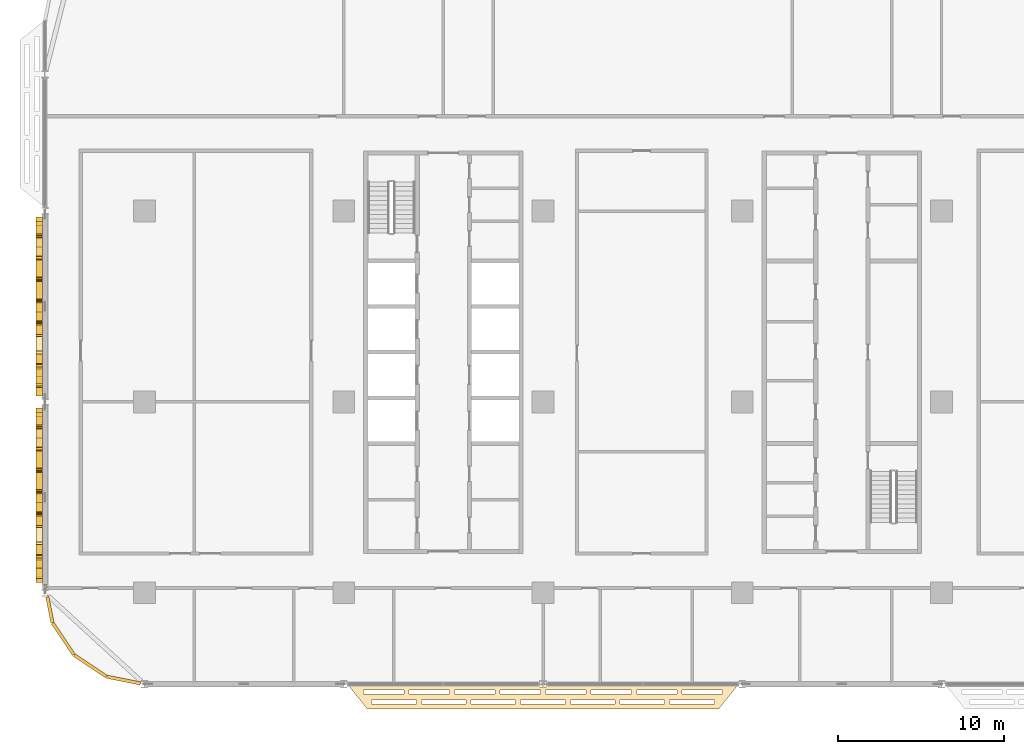
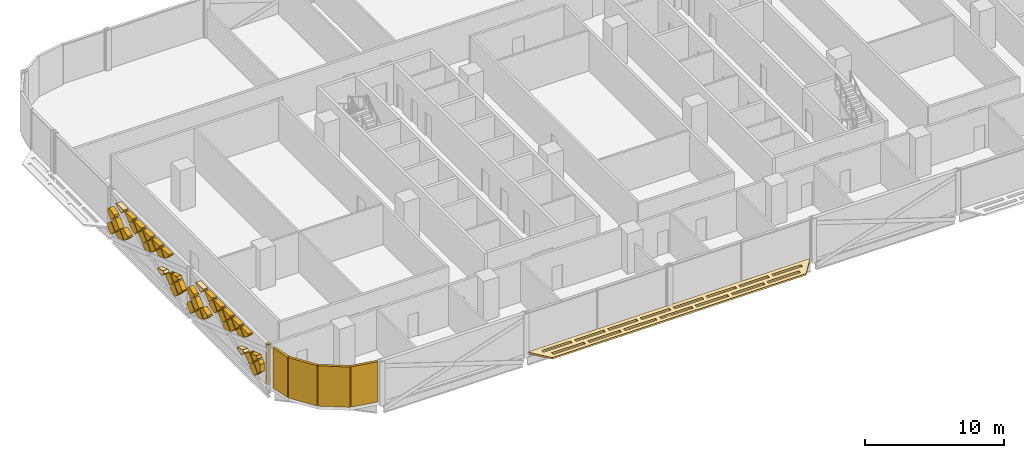
# One storey, part 25 of 29: 48 coverings.
"""IFC4 building model written with IfcOpenShell, lengths in metres."""

import ifcopenshell
import ifcopenshell.guid

model = None  # the IFC model being written
_history = None  # IfcOwnerHistory: only IFC2X3 demands one
_inside = {}  # id of a spatial element -> (the spatial element, [elements in it])
_under = {}  # id of a project, library or spatial element -> (it, [spatial elements below it])
_declared = {}  # id of a project -> (the project, [libraries it declares])
_typed = {}  # id of a type object -> (the type object, [elements of that type])
_made_of = {}  # id of a material, layer set ... -> (it, [elements and type objects made of it])


def new_model(schema):
    """Start an empty IFC model of exactly this schema.

    Asked for "IFC4X3", IfcOpenShell would pick the latest addendum, in which some entities
    have other attributes; the version numbers below select the first issue.
    IFC2X3 requires an IfcOwnerHistory on every rooted entity: one is made here for all.
    """
    global model, _history
    if schema == "IFC4X3":
        model = ifcopenshell.file(schema_version=(4, 3, 0, 0))
    else:
        model = ifcopenshell.file(schema=schema)
    _inside.clear()
    _under.clear()
    _declared.clear()
    _typed.clear()
    _made_of.clear()
    _history = None
    if model.schema == "IFC2X3":
        org = make("IfcOrganization", Name="unknown")
        user = make(
            "IfcPersonAndOrganization",
            ThePerson=make("IfcPerson", FamilyName="unknown"),
            TheOrganization=org,
        )
        app = make(
            "IfcApplication",
            ApplicationDeveloper=org,
            Version="unknown",
            ApplicationFullName="unknown",
            ApplicationIdentifier="unknown",
        )
        _history = make(
            "IfcOwnerHistory",
            OwningUser=user,
            OwningApplication=app,
            ChangeAction="ADDED",
            CreationDate=0,
        )
    return model


def make(cls, **values):
    """One entity of the class cls with the attributes given. An attribute that is None is left unset."""
    return model.create_entity(
        cls, **{name: value for name, value in values.items() if value is not None}
    )


def rooted(cls, **values):
    """An entity with a GlobalId (a new one), such as an element, a storey or a relation."""
    return make(cls, GlobalId=ifcopenshell.guid.new(), OwnerHistory=_history, **values)


def si_unit(unit_type, name, prefix=None):
    """IfcSIUnit, for example si_unit("LENGTHUNIT", "METRE", prefix="MILLI")."""
    return make("IfcSIUnit", UnitType=unit_type, Prefix=prefix, Name=name)


def assignment(units):
    """IfcUnitAssignment: the units of a project."""
    return None if units is None else make("IfcUnitAssignment", Units=units)


def point(xyz):
    """IfcCartesianPoint."""
    return None if xyz is None else make("IfcCartesianPoint", Coordinates=xyz)


def direction(xyz):
    """IfcDirection."""
    return None if xyz is None else make("IfcDirection", DirectionRatios=xyz)


def frame(location, z_axis=None, x_axis=None):
    """IfcAxis2Placement3D, a coordinate frame: its origin and axes. An axis left out is left unset."""
    return make(
        "IfcAxis2Placement3D",
        Location=point(location),
        Axis=direction(z_axis),
        RefDirection=direction(x_axis),
    )


def frame_2d(location, x_axis=None):
    """IfcAxis2Placement2D, a coordinate frame in the plane: its origin and x axis."""
    return make(
        "IfcAxis2Placement2D", Location=point(location), RefDirection=direction(x_axis)
    )


def origin():
    """The frame at (0, 0, 0) with its axes left unset."""
    return frame((0.0, 0.0, 0.0))


def origin_2d():
    """The frame at (0, 0) in the plane with its x axis left unset."""
    return frame_2d((0.0, 0.0))


def place(relative_to, where):
    """IfcLocalPlacement: puts the frame where relative to a parent placement (None: the world)."""
    return make(
        "IfcLocalPlacement", PlacementRelTo=relative_to, RelativePlacement=where
    )


def context(
    kind, dimensions, precision=None, world=None, true_north=None, identifier=None
):
    """IfcGeometricRepresentationContext, for example the 3D "Model" context."""
    return make(
        "IfcGeometricRepresentationContext",
        ContextIdentifier=identifier,
        ContextType=kind,
        CoordinateSpaceDimension=dimensions,
        Precision=precision,
        WorldCoordinateSystem=world,
        TrueNorth=true_north,
    )


def subcontext(parent, identifier, kind, view, scale=None):
    """IfcGeometricRepresentationSubContext, for example "Body" below "Model"."""
    return make(
        "IfcGeometricRepresentationSubContext",
        ContextIdentifier=identifier,
        ContextType=kind,
        ParentContext=parent,
        TargetScale=scale,
        TargetView=view,
    )


def project(units=None, contexts=None):
    """IfcProject with its units and contexts."""
    return rooted(
        "IfcProject",
        Name="project",
        RepresentationContexts=contexts,
        UnitsInContext=assignment(units),
    )


def spatial(cls, under=None, at=None, **own):
    """A site, building, storey or space (cls), placed at a placement, below another one or the project."""
    s = rooted(cls, ObjectPlacement=at, **own)
    if under is not None:
        _under.setdefault(under.id(), (under, []))[1].append(s)
    return s


def polyline(points):
    """IfcPolyline through the points."""
    return make("IfcPolyline", Points=[point(p) for p in points])


def profile(cls, at=None, kind="AREA", **sizes):
    """A parametric profile (cls). Its sizes go by their IFC names, for example OverallWidth=200.0."""
    return make(cls, ProfileType=kind, Position=at, **sizes)


def rectangle(**sizes):
    """IfcRectangleProfileDef."""
    return profile("IfcRectangleProfileDef", **sizes)


def outline(outer, holes=None, kind="AREA"):
    """IfcArbitraryClosedProfileDef: a profile drawn as a closed curve; with holes, ...WithVoids."""
    if holes is None:
        return make("IfcArbitraryClosedProfileDef", ProfileType=kind, OuterCurve=outer)
    return make(
        "IfcArbitraryProfileDefWithVoids",
        ProfileType=kind,
        OuterCurve=outer,
        InnerCurves=holes,
    )


def extrude(swept, where, along, depth):
    """IfcExtrudedAreaSolid: the profile swept, set in the frame where, extruded along a direction by depth."""
    return make(
        "IfcExtrudedAreaSolid",
        SweptArea=swept,
        Position=where,
        ExtrudedDirection=direction(along),
        Depth=depth,
    )


def shape(context_of_items, identifier, shape_type, items):
    """IfcShapeRepresentation: the items that make up one representation, for example the "Body"."""
    return make(
        "IfcShapeRepresentation",
        ContextOfItems=context_of_items,
        RepresentationIdentifier=identifier,
        RepresentationType=shape_type,
        Items=items,
    )


def material(Name=None, Category=None):
    """IfcMaterial."""
    return make("IfcMaterial", Name=Name, Category=Category)


def layer(
    of_material, thickness, ventilated=None, Name=None, Category=None, Priority=None
):
    """IfcMaterialLayer: one layer of a wall or slab, of a material (None: an air gap)."""
    return make(
        "IfcMaterialLayer",
        Material=of_material,
        LayerThickness=thickness,
        IsVentilated=ventilated,
        Name=Name,
        Category=Category,
        Priority=Priority,
    )


def layer_set(layers, Name=None):
    """IfcMaterialLayerSet."""
    return make("IfcMaterialLayerSet", MaterialLayers=layers, LayerSetName=Name)


def made_of(thing, what):
    """Note that an element or type object is made of a material, layer set ...; save() writes the relation."""
    if what is not None:
        _made_of.setdefault(what.id(), (what, []))[1].append(thing)
    return thing


def type_object(cls, material=None, **own):
    """A type object (cls), such as IfcWallType, which elements share."""
    return made_of(rooted(cls, **own), material)


def element(
    cls,
    number,
    at=None,
    inside=None,
    cuts=None,
    type_object=None,
    material=None,
    context=None,
    identifier="Body",
    shape_type=None,
    held_by="IfcProductDefinitionShape",
    body=None,
    shapes=None,
    **own,
):
    """One element of the class cls, such as IfcWall. Its Tag is "e" and its number.

    at: its placement. inside: the storey or other place that contains it. cuts: it is an
    opening in that element (IfcRelVoidsElement). A single representation is given by context,
    identifier, shape_type and body (its items); several are given by shapes. held_by: the class
    of the entity that holds the representations. save() writes the other relations.
    """
    e = rooted(cls, Tag="e%d" % number, ObjectPlacement=at, **own)
    if body is not None:
        shapes = [shape(context, identifier, shape_type, body)]
    if shapes is not None:
        e.Representation = make(held_by, Representations=shapes)
    if inside is not None:
        _inside.setdefault(inside.id(), (inside, []))[1].append(e)
    if cuts is not None:
        rooted(
            "IfcRelVoidsElement", RelatingBuildingElement=cuts, RelatedOpeningElement=e
        )
    if type_object is not None:
        _typed.setdefault(type_object.id(), (type_object, []))[1].append(e)
    return made_of(e, material)


def aggregate(whole, parts):
    """IfcRelAggregates: a whole, such as a stair, and the parts it consists of."""
    return rooted("IfcRelAggregates", RelatingObject=whole, RelatedObjects=parts)


def save(model, path):
    """Write the relations noted so far, then the file.

    IfcRelAggregates (storeys below a building ...), IfcRelContainedInSpatialStructure (elements
    in a storey), IfcRelDefinesByType, IfcRelAssociatesMaterial and IfcRelDeclares: one each for
    every whole, place, type object, material and project.
    """
    for whole, parts in _under.values():
        aggregate(whole, parts)
    for where, things in _inside.values():
        rooted(
            "IfcRelContainedInSpatialStructure",
            RelatedElements=things,
            RelatingStructure=where,
        )
    for kind, things in _typed.values():
        rooted("IfcRelDefinesByType", RelatedObjects=things, RelatingType=kind)
    for what, things in _made_of.values():
        rooted("IfcRelAssociatesMaterial", RelatedObjects=things, RelatingMaterial=what)
    for by, libraries in _declared.values():
        rooted("IfcRelDeclares", RelatingContext=by, RelatedDefinitions=libraries)
    model.write(path)


model = new_model("IFC4")

# Units and contexts
model_context = context("Model", 3, precision=1e-05, world=origin(), true_north=direction((0.0, 1.0)))
body_context = subcontext(model_context, "Body", "Model", "MODEL_VIEW")
ifc_project = project(units=[si_unit("LENGTHUNIT", "METRE"), si_unit("AREAUNIT", "SQUARE_METRE"), si_unit("VOLUMEUNIT", "CUBIC_METRE"), si_unit("PLANEANGLEUNIT", "RADIAN"), si_unit("MASSUNIT", "GRAM", prefix="KILO")], contexts=[model_context])

# Site, building, storey
site_placement = place(None, origin())
site = spatial("IfcSite", under=ifc_project, at=site_placement, CompositionType="ELEMENT")
building_placement = place(site_placement, origin())
building = spatial("IfcBuilding", under=site, at=building_placement, Name="Mahtab Terrace Research Tower", CompositionType="ELEMENT")
storey_placement = place(building_placement, frame((0.0, 0.0, 150.699951171875)))
storey = spatial("IfcBuildingStorey", under=building, at=storey_placement, Name="L35", CompositionType="ELEMENT", Elevation=150.699951171875)

# Coverings
ifc_material_1 = material(Name="Black aluminium cladding panel", Category="aluminium")
ifc_layer_1 = layer(ifc_material_1, 0.199951171875)
ifc_layer_set_1 = layer_set([ifc_layer_1], Name="Black metal corner cladding 200")
covering_type_1 = type_object("IfcCoveringType", Name="Black metal corner cladding 200", PredefinedType="CLADDING", material=ifc_layer_set_1)
covering_1_placement = place(storey_placement, frame((-47.97607421875, -11.11962890625, 0.0), z_axis=(0.0, 0.0, 1.0), x_axis=(0.195212442692, -0.980760981187, 0.0)))
element("IfcCovering", 1, at=covering_1_placement, inside=storey, type_object=covering_type_1, Name="Corner cladding L35 19", PredefinedType="CLADDING", context=body_context, shape_type="SweptSolid", body=[
    extrude(rectangle(XDim=0.22412109375, YDim=0.199951171875, at=origin_2d()), origin(), (0.0, 0.0, 1.0), 3.550048828125),
])
covering_2_placement = place(storey_placement, frame((-47.700439453125, -12.50439453125, 0.0), z_axis=(0.0, 0.0, 1.0), x_axis=(0.195212442692, -0.980760981187, 0.0)))
element("IfcCovering", 2, at=covering_2_placement, inside=storey, type_object=covering_type_1, Name="Corner cladding L35 20", PredefinedType="CLADDING", context=body_context, shape_type="SweptSolid", body=[
    extrude(rectangle(XDim=1.574462890625, YDim=0.199951171875, at=origin_2d()), origin(), (0.0, 0.0, 1.0), 3.550048828125),
])
for number, where, z_axis, x_axis, name in (
    (3, (-46.89306640625, -14.26953125, 0.0), (0.0, 0.0, 1.0), (0.555291490808, -0.831655794326, 0.0), "Corner cladding L35 21"),
    (4, (-45.26953125, -15.89306640625, 0.0), (0.0, 0.0, 1.0), (0.831655794326, -0.555291490808, 0.0), "Corner cladding L35 22"),
):
    element("IfcCovering", number, at=place(storey_placement, frame(where, z_axis=z_axis, x_axis=x_axis)), inside=storey, type_object=covering_type_1, Name=name, PredefinedType="CLADDING", context=body_context, shape_type="SweptSolid", body=[
        extrude(rectangle(XDim=2.30126953125, YDim=0.199951171875, at=origin_2d()), origin(), (0.0, 0.0, 1.0), 3.550048828125),
    ])
covering_3_placement = place(storey_placement, frame((-43.263916015625, -16.74853515625, 0.0), z_axis=(0.0, 0.0, 1.0), x_axis=(0.980760981187, -0.195212442692, 0.0)))
element("IfcCovering", 5, at=covering_3_placement, inside=storey, type_object=covering_type_1, Name="Corner cladding L35 23", PredefinedType="CLADDING", context=body_context, shape_type="SweptSolid", body=[
    extrude(rectangle(XDim=2.064697265625, YDim=0.199951171875, at=origin_2d()), origin(), (0.0, 0.0, 1.0), 3.550048828125),
])
ifc_material_2 = material(Name="Black anodised aluminium", Category="aluminium")
ifc_layer_2 = layer(ifc_material_2, 0.14990234375)
ifc_layer_set_2 = layer_set([ifc_layer_2], Name="Horizontal sunshade band")
covering_type_2 = type_object("IfcCoveringType", Name="Horizontal sunshade band", PredefinedType="CLADDING", material=ifc_layer_set_2)
covering_4_placement = place(storey_placement, frame((0.0, 0.0, -0.14990234375)))
element("IfcCovering", 6, at=covering_4_placement, inside=storey, type_object=covering_type_2, Name="Sunshade band L35 25", PredefinedType="CLADDING", context=body_context, shape_type="SweptSolid", body=[
    extrude(outline(polyline([(-29.781982421875, -17.0), (-6.218017578125, -17.0), (-7.41796875, -18.5), (-28.58203125, -18.5), (-29.781982421875, -17.0)]), holes=[polyline([(-28.802001953125, -17.35009765625), (-26.364013671875, -17.35009765625), (-26.364013671875, -17.60009765625), (-28.802001953125, -17.60009765625), (-28.802001953125, -17.35009765625)]), polyline([(-26.06396484375, -17.35009765625), (-23.6259765625, -17.35009765625), (-23.6259765625, -17.60009765625), (-26.06396484375, -17.60009765625), (-26.06396484375, -17.35009765625)]), polyline([(-23.325927734375, -17.35009765625), (-20.887939453125, -17.35009765625), (-20.887939453125, -17.60009765625), (-23.325927734375, -17.60009765625), (-23.325927734375, -17.35009765625)]), polyline([(-20.587890625, -17.35009765625), (-18.14990234375, -17.35009765625), (-18.14990234375, -17.60009765625), (-20.587890625, -17.60009765625), (-20.587890625, -17.35009765625)]), polyline([(-17.85009765625, -17.35009765625), (-15.412109375, -17.35009765625), (-15.412109375, -17.60009765625), (-17.85009765625, -17.60009765625), (-17.85009765625, -17.35009765625)]), polyline([(-15.112060546875, -17.35009765625), (-12.674072265625, -17.35009765625), (-12.674072265625, -17.60009765625), (-15.112060546875, -17.60009765625), (-15.112060546875, -17.35009765625)]), polyline([(-12.3740234375, -17.35009765625), (-9.93603515625, -17.35009765625), (-9.93603515625, -17.60009765625), (-12.3740234375, -17.60009765625), (-12.3740234375, -17.35009765625)]), polyline([(-9.635986328125, -17.35009765625), (-7.197998046875, -17.35009765625), (-7.197998046875, -17.60009765625), (-9.635986328125, -17.60009765625), (-9.635986328125, -17.35009765625)]), polyline([(-28.322021484375, -17.949951171875), (-25.6298828125, -17.949951171875), (-25.6298828125, -18.199951171875), (-28.322021484375, -18.199951171875), (-28.322021484375, -17.949951171875)]), polyline([(-25.330078125, -17.949951171875), (-22.637939453125, -17.949951171875), (-22.637939453125, -18.199951171875), (-25.330078125, -18.199951171875), (-25.330078125, -17.949951171875)]), polyline([(-22.337890625, -17.949951171875), (-19.64599609375, -17.949951171875), (-19.64599609375, -18.199951171875), (-22.337890625, -18.199951171875), (-22.337890625, -17.949951171875)]), polyline([(-19.345947265625, -17.949951171875), (-16.654052734375, -17.949951171875), (-16.654052734375, -18.199951171875), (-19.345947265625, -18.199951171875), (-19.345947265625, -17.949951171875)]), polyline([(-16.35400390625, -17.949951171875), (-13.662109375, -17.949951171875), (-13.662109375, -18.199951171875), (-16.35400390625, -18.199951171875), (-16.35400390625, -17.949951171875)]), polyline([(-13.362060546875, -17.949951171875), (-10.669921875, -17.949951171875), (-10.669921875, -18.199951171875), (-13.362060546875, -18.199951171875), (-13.362060546875, -17.949951171875)]), polyline([(-10.3701171875, -17.949951171875), (-7.677978515625, -17.949951171875), (-7.677978515625, -18.199951171875), (-10.3701171875, -18.199951171875), (-10.3701171875, -17.949951171875)])]), origin(), (0.0, 0.0, 1.0), 0.14990234375),
])
ifc_material_3 = material(Name="Bronze anodised aluminium", Category="aluminium")
ifc_layer_3 = layer(ifc_material_3, 0.39990234375)
ifc_layer_set_3 = layer_set([ifc_layer_3], Name="Mashrabiya relief panel 400")
covering_type_3 = type_object("IfcCoveringType", Name="Mashrabiya relief panel 400", PredefinedType="CLADDING", material=ifc_layer_set_3)
covering_5_placement = place(storey_placement, frame((-48.14990234375, 10.632080078125, 1.330078125), z_axis=(1.0, 0.0, 0.0), x_axis=(0.0, -0.707106781187, -0.707106781187)))
element("IfcCovering", 7, at=covering_5_placement, inside=storey, type_object=covering_type_3, Name="Mashrabiya lattice cell L35 W17.1", PredefinedType="CLADDING", context=body_context, shape_type="SweptSolid", body=[
    extrude(outline(polyline([(0.0, 0.0), (0.8203543516109556, 0.0), (0.820181718119455, 0.820181718119455), (0.0920136509698315, 0.820181718119455), (0.0001726334915005956, 0.728340700641124), (0.0, 0.0)])), origin(), (0.0, 0.0, -1.0), 0.39990234375),
])
covering_6_placement = place(storey_placement, frame((-48.14990234375, 10.052001953125, 2.050048828125), z_axis=(1.0, 0.0, 0.0), x_axis=(0.0, 0.707106781187, -0.707106781187)))
element("IfcCovering", 8, at=covering_6_placement, inside=storey, type_object=covering_type_3, Name="Mashrabiya lattice cell L35 W17.2", PredefinedType="CLADDING", context=body_context, shape_type="SweptSolid", body=[
    extrude(outline(polyline([(0.0, 0.0), (0.8203543516109556, 0.0), (0.820181718119455, 0.7283407006411241), (0.7283407006411241, 0.820181718119455), (0.3350816070027073, 0.820181718119455), (0.0, 0.142940530962515), (0.0, 0.0)])), origin(), (0.0, 0.0, -1.0), 0.39990234375),
])
covering_7_placement = place(storey_placement, frame((-48.14990234375, 9.98193359375, 1.97998046875), z_axis=(1.0, 0.0, 0.0), x_axis=(0.0, -0.707106781187, -0.707106781187)))
element("IfcCovering", 9, at=covering_7_placement, inside=storey, type_object=covering_type_3, Name="Mashrabiya lattice cell L35 W17.3", PredefinedType="CLADDING", context=body_context, shape_type="SweptSolid", body=[
    extrude(outline(polyline([(0.0, 0.0), (0.8200090846279543, 0.0), (0.820181718119455, 0.820181718119455), (-0.0001726334915006511, 0.820181718119455), (0.0, 0.0)])), origin(), (0.0, 0.0, -1.0), 0.39990234375),
])
covering_8_placement = place(storey_placement, frame((-48.14990234375, 9.912109375, 0.75), z_axis=(1.0, 0.0, 0.0), x_axis=(0.0, -0.707106781187, 0.707106781187)))
element("IfcCovering", 10, at=covering_8_placement, inside=storey, type_object=covering_type_3, Name="Mashrabiya lattice cell L35 W17.4", PredefinedType="CLADDING", context=body_context, shape_type="SweptSolid", body=[
    extrude(outline(polyline([(0.0, 0.0), (0.8203543516109556, 0.0), (0.8203543516109556, 0.7934235269368585), (0.00017263349150062335, 0.38756218841889634), (0.0, 0.0)])), origin(), (0.0, 0.0, -1.0), 0.39990234375),
])
covering_9_placement = place(storey_placement, frame((-48.14990234375, 9.912109375, 3.35009765625), z_axis=(1.0, 0.0, 0.0), x_axis=(0.0, -0.708432188712, 0.705778884635)))
element("IfcCovering", 11, at=covering_9_placement, inside=storey, type_object=covering_type_3, Name="Mashrabiya lattice cell L35 W17.5", PredefinedType="CLADDING", context=body_context, shape_type="SweptSolid", body=[
    extrude(outline(polyline([(0.0, 0.0), (0.09201381291480297, 0.0), (0.8217197221377734, 0.7269729282895511), (0.82189203143578, 0.8188137841270318), (0.2477140492638616, 0.8198910411292305), (0.0006050258809703057, 0.32247879455716877), (0.0, 0.0)])), origin(), (0.0, 0.0, -1.0), 0.39990234375),
])
covering_10_placement = place(storey_placement, frame((-48.14990234375, 8.10205078125, 1.400146484375), z_axis=(1.0, 0.0, 0.0), x_axis=(0.0, 0.706957932274, -0.707255598772)))
element("IfcCovering", 12, at=covering_10_placement, inside=storey, type_object=covering_type_3, Name="Mashrabiya lattice cell L35 W17.6", PredefinedType="CLADDING", context=body_context, shape_type="SweptSolid", body=[
    extrude(outline(polyline([(0.0, 0.0), (0.8201817362875763, 0.0), (0.8200090664636573, 0.8203543334390104), (0.3449217083777658, 0.8202543360999058), (-2.5871404593917624e-05, 0.12291504322571031), (0.0, 0.0)])), origin(), (0.0, 0.0, -1.0), 0.39990234375),
])
covering_11_placement = place(storey_placement, frame((-48.14990234375, 7.451904296875, 3.35009765625), z_axis=(1.0, 0.0, 0.0), x_axis=(0.0, 0.707106781187, -0.707106781187)))
element("IfcCovering", 13, at=covering_11_placement, inside=storey, type_object=covering_type_3, Name="Mashrabiya lattice cell L35 W17.7", PredefinedType="CLADDING", context=body_context, shape_type="SweptSolid", body=[
    extrude(outline(polyline([(0.0, 0.0), (0.8203543516109556, 0.0), (0.8203543516109556, 0.8203543516109556), (0.7285133341326248, 0.8203543516109556), (0.00017263349150062335, 0.09201365096983151), (0.0, 0.0)])), origin(), (0.0, 0.0, -1.0), 0.39990234375),
])
covering_12_placement = place(storey_placement, frame((-48.14990234375, 7.9619140625, 2.699951171875), z_axis=(1.0, 0.0, 0.0), x_axis=(0.0, -0.706957932274, 0.707255598772)))
element("IfcCovering", 14, at=covering_12_placement, inside=storey, type_object=covering_type_3, Name="Mashrabiya lattice cell L35 W17.8", PredefinedType="CLADDING", context=body_context, shape_type="SweptSolid", body=[
    extrude(outline(polyline([(0.0, 0.0), (0.8201817362875763, 0.0), (0.8200090664636573, 0.8203543334390104), (0.23599001399009922, 0.8200587744432704), (-7.201843245105422e-05, 0.3421595725749408), (0.0, 0.0)])), origin(), (0.0, 0.0, -1.0), 0.39990234375),
])
covering_13_placement = place(storey_placement, frame((-48.14990234375, 6.152099609375, 3.35009765625), z_axis=(1.0, 0.0, 0.0), x_axis=(0.0, 0.706957932274, -0.707255598772)))
element("IfcCovering", 15, at=covering_13_placement, inside=storey, type_object=covering_type_3, Name="Mashrabiya lattice cell L35 W17.9", PredefinedType="CLADDING", context=body_context, shape_type="SweptSolid", body=[
    extrude(outline(polyline([(0.0, 0.0), (0.8201817362875763, 0.0), (0.8200090664636573, 0.8203543334390104), (0.7281680510197277, 0.8203350025580498), (-1.9330880960628793e-05, 0.09184101544392961), (0.0, 0.0)])), origin(), (0.0, 0.0, -1.0), 0.39990234375),
])
covering_14_placement = place(storey_placement, frame((-48.14990234375, 6.08203125, 3.280029296875), z_axis=(1.0, 0.0, 0.0), x_axis=(0.0, -0.707106781187, -0.707106781187)))
element("IfcCovering", 16, at=covering_14_placement, inside=storey, type_object=covering_type_3, Name="Mashrabiya lattice cell L35 W17.10", PredefinedType="CLADDING", context=body_context, shape_type="SweptSolid", body=[
    extrude(outline(polyline([(0.0, 0.0), (0.8203543516109556, 0.0), (0.820181718119455, 0.820181718119455), (0.0, 0.8203543516109556), (0.0, 0.0)])), origin(), (0.0, 0.0, -1.0), 0.39990234375),
])
covering_15_placement = place(storey_placement, frame((-48.14990234375, 6.011962890625, 2.050048828125), z_axis=(1.0, 0.0, 0.0), x_axis=(0.0, -0.707106781187, 0.707106781187)))
element("IfcCovering", 17, at=covering_15_placement, inside=storey, type_object=covering_type_3, Name="Mashrabiya lattice cell L35 W17.11", PredefinedType="CLADDING", context=body_context, shape_type="SweptSolid", body=[
    extrude(outline(polyline([(0.0, 0.0), (0.8203543516109556, 0.0), (0.8201817181194551, 0.772189607482282), (0.00207160189800748, 0.3683998708623273), (0.0, 0.0)])), origin(), (0.0, 0.0, -1.0), 0.39990234375),
])
covering_16_placement = place(storey_placement, frame((-48.14990234375, 4.85205078125, 3.35009765625), z_axis=(1.0, 0.0, 0.0), x_axis=(0.0, 0.706957932274, -0.707255598772)))
element("IfcCovering", 18, at=covering_16_placement, inside=storey, type_object=covering_type_3, Name="Mashrabiya lattice cell L35 W17.12", PredefinedType="CLADDING", context=body_context, shape_type="SweptSolid", body=[
    extrude(outline(polyline([(0.0, 0.0), (0.8201817362875763, 0.0), (0.8200090664636573, 0.8203543334390104), (0.7281680510197277, 0.8203350025580498), (-1.9330880960628793e-05, 0.09184101544392961), (0.0, 0.0)])), origin(), (0.0, 0.0, -1.0), 0.39990234375),
])
covering_17_placement = place(storey_placement, frame((-48.14990234375, 4.781982421875, 3.280029296875), z_axis=(1.0, 0.0, 0.0), x_axis=(0.0, -0.707106781187, -0.707106781187)))
element("IfcCovering", 19, at=covering_17_placement, inside=storey, type_object=covering_type_3, Name="Mashrabiya lattice cell L35 W17.13", PredefinedType="CLADDING", context=body_context, shape_type="SweptSolid", body=[
    extrude(outline(polyline([(0.0, 0.0), (0.8203543516109556, 0.0), (0.820181718119455, 0.820181718119455), (0.0, 0.8203543516109556), (0.0, 0.0)])), origin(), (0.0, 0.0, -1.0), 0.39990234375),
])
covering_18_placement = place(storey_placement, frame((-48.14990234375, 3.552001953125, 3.35009765625), z_axis=(1.0, 0.0, 0.0), x_axis=(0.0, 0.707106781187, -0.707106781187)))
element("IfcCovering", 20, at=covering_18_placement, inside=storey, type_object=covering_type_3, Name="Mashrabiya lattice cell L35 W17.14", PredefinedType="CLADDING", context=body_context, shape_type="SweptSolid", body=[
    extrude(outline(polyline([(0.0, 0.0), (0.8203543516109556, 0.0), (0.820181718119455, 0.820181718119455), (0.7283407006411241, 0.820181718119455), (0.0, 0.09184101747833089), (0.0, 0.0)])), origin(), (0.0, 0.0, -1.0), 0.39990234375),
])
covering_19_placement = place(storey_placement, frame((-48.14990234375, 3.93701171875, 1.275146484375), z_axis=(1.0, 0.0, 0.0), x_axis=(0.0, -0.947367925419, 0.320146862997)))
element("IfcCovering", 21, at=covering_19_placement, inside=storey, type_object=covering_type_3, Name="Mashrabiya lattice cell L35 W17.15", PredefinedType="CLADDING", context=body_context, shape_type="SweptSolid", body=[
    extrude(outline(polyline([(0.0, 0.0), (0.9151073580957444, 5.551115123125783e-17), (1.0204608959244392, 0.2129028746168139), (0.47922960565582384, 0.4807274933121443), (0.09157182503133654, 0.18505220787914928), (0.0, 0.0)])), origin(), (0.0, 0.0, -1.0), 0.39990234375),
])
covering_20_placement = place(storey_placement, frame((-48.14990234375, 4.06201171875, 2.699951171875), z_axis=(1.0, 0.0, 0.0), x_axis=(0.0, -0.707106781187, 0.707106781187)))
element("IfcCovering", 22, at=covering_20_placement, inside=storey, type_object=covering_type_3, Name="Mashrabiya lattice cell L35 W17.16", PredefinedType="CLADDING", context=body_context, shape_type="SweptSolid", body=[
    extrude(outline(polyline([(0.0, 0.0), (0.8203543516109556, 0.0), (0.820181718119455, 0.762176864975246), (0.0, 0.35631552645728376), (0.0, 0.0)])), origin(), (0.0, 0.0, -1.0), 0.39990234375),
])
covering_21_placement = place(storey_placement, frame((-48.14990234375, 3.412109375, 3.35009765625), z_axis=(1.0, 0.0, 0.0), x_axis=(0.0, -0.708432188712, 0.705778884635)))
element("IfcCovering", 23, at=covering_21_placement, inside=storey, type_object=covering_type_3, Name="Mashrabiya lattice cell L35 W17.17", PredefinedType="CLADDING", context=body_context, shape_type="SweptSolid", body=[
    extrude(outline(polyline([(0.0, 0.0), (0.09201381291480297, 0.0), (0.8217197221377734, 0.7269729282895511), (0.82189203143578, 0.8188137841270318), (0.0016958862488011262, 0.8118935576961905), (0.0, 0.0)])), origin(), (0.0, 0.0, -1.0), 0.39990234375),
])
covering_22_placement = place(storey_placement, frame((-48.14990234375, 1.60205078125, 1.400146484375), z_axis=(1.0, 0.0, 0.0), x_axis=(0.0, 0.706957932274, -0.707255598772)))
element("IfcCovering", 24, at=covering_22_placement, inside=storey, type_object=covering_type_3, Name="Mashrabiya lattice cell L35 W17.18", PredefinedType="CLADDING", context=body_context, shape_type="SweptSolid", body=[
    extrude(outline(polyline([(0.0, 0.0), (0.8201817362875763, 0.0), (0.8200090664636573, 0.8203543334390104), (0.23754367904294577, 0.8202317349571286), (2.4708644836890503e-05, 0.7027909646675159), (0.0, 0.0)])), origin(), (0.0, 0.0, -1.0), 0.39990234375),
])
covering_23_placement = place(storey_placement, frame((-48.14990234375, 2.112060546875, 0.75), z_axis=(1.0, 0.0, 0.0), x_axis=(0.0, -0.707106781187, 0.707106781187)))
element("IfcCovering", 25, at=covering_23_placement, inside=storey, type_object=covering_type_3, Name="Mashrabiya lattice cell L35 W17.19", PredefinedType="CLADDING", context=body_context, shape_type="SweptSolid", body=[
    extrude(outline(polyline([(0.0, 0.0), (0.8203543516109556, 0.0), (0.8203543516109556, 0.8203543516109556), (0.20508858790273893, 0.8203543516109557), (0.00017263349150062335, 0.40448027058595726), (0.0, 0.0)])), origin(), (0.0, 0.0, -1.0), 0.39990234375),
])
covering_24_placement = place(storey_placement, frame((-48.14990234375, 0.951904296875, 2.050048828125), z_axis=(1.0, 0.0, 0.0), x_axis=(0.0, 0.707106781187, -0.707106781187)))
element("IfcCovering", 26, at=covering_24_placement, inside=storey, type_object=covering_type_3, Name="Mashrabiya lattice cell L35 W17.20", PredefinedType="CLADDING", context=body_context, shape_type="SweptSolid", body=[
    extrude(outline(polyline([(0.0, 0.0), (0.8203543516109556, 0.0), (0.820181718119455, 0.6534177653298542), (0.0, 0.2475564268118919), (0.0, 0.0)])), origin(), (0.0, 0.0, -1.0), 0.39990234375),
])
covering_25_placement = place(storey_placement, frame((-48.14990234375, 0.882080078125, 0.820068359375), z_axis=(1.0, 0.0, 0.0), x_axis=(0.0, 0.706957932274, 0.707255598772)))
element("IfcCovering", 27, at=covering_25_placement, inside=storey, type_object=covering_type_3, Name="Mashrabiya lattice cell L35 W17.21", PredefinedType="CLADDING", context=body_context, shape_type="SweptSolid", body=[
    extrude(outline(polyline([(0.0, 0.0), (0.8201817362875763, 0.0), (0.8203543334390104, 0.8200090664636573), (0.07216079784880186, 0.82016654773825), (0.0001574812745928078, 0.7481935355902086), (0.0, 0.0)])), origin(), (0.0, 0.0, -1.0), 0.39990234375),
])
covering_26_placement = place(storey_placement, frame((-48.14990234375, -0.867919921875, 1.330078125), z_axis=(1.0, 0.0, 0.0), x_axis=(0.0, -0.707106781187, -0.707106781187)))
element("IfcCovering", 28, at=covering_26_placement, inside=storey, type_object=covering_type_3, Name="Mashrabiya lattice cell L35 W18.1", PredefinedType="CLADDING", context=body_context, shape_type="SweptSolid", body=[
    extrude(outline(polyline([(0.0, 0.0), (0.8203543516109556, 0.0), (0.820181718119455, 0.820181718119455), (0.0920136509698315, 0.820181718119455), (0.0001726334915005956, 0.728340700641124), (0.0, 0.0)])), origin(), (0.0, 0.0, -1.0), 0.39990234375),
])
covering_27_placement = place(storey_placement, frame((-48.14990234375, -1.447998046875, 2.050048828125), z_axis=(1.0, 0.0, 0.0), x_axis=(0.0, 0.707106781187, -0.707106781187)))
element("IfcCovering", 29, at=covering_27_placement, inside=storey, type_object=covering_type_3, Name="Mashrabiya lattice cell L35 W18.2", PredefinedType="CLADDING", context=body_context, shape_type="SweptSolid", body=[
    extrude(outline(polyline([(0.0, 0.0), (0.8203543516109556, 0.0), (0.820181718119455, 0.7283407006411241), (0.7283407006411241, 0.820181718119455), (0.3350816070027073, 0.820181718119455), (0.0, 0.142940530962515), (0.0, 0.0)])), origin(), (0.0, 0.0, -1.0), 0.39990234375),
])
covering_28_placement = place(storey_placement, frame((-48.14990234375, -1.51806640625, 1.97998046875), z_axis=(1.0, 0.0, 0.0), x_axis=(0.0, -0.707106781187, -0.707106781187)))
element("IfcCovering", 30, at=covering_28_placement, inside=storey, type_object=covering_type_3, Name="Mashrabiya lattice cell L35 W18.3", PredefinedType="CLADDING", context=body_context, shape_type="SweptSolid", body=[
    extrude(outline(polyline([(0.0, 0.0), (0.8200090846279543, 0.0), (0.820181718119455, 0.820181718119455), (-0.0001726334915006511, 0.820181718119455), (0.0, 0.0)])), origin(), (0.0, 0.0, -1.0), 0.39990234375),
])
covering_29_placement = place(storey_placement, frame((-48.14990234375, -1.587890625, 0.75), z_axis=(1.0, 0.0, 0.0), x_axis=(0.0, -0.707106781187, 0.707106781187)))
element("IfcCovering", 31, at=covering_29_placement, inside=storey, type_object=covering_type_3, Name="Mashrabiya lattice cell L35 W18.4", PredefinedType="CLADDING", context=body_context, shape_type="SweptSolid", body=[
    extrude(outline(polyline([(0.0, 0.0), (0.8203543516109556, 0.0), (0.8203543516109556, 0.7934235269368585), (0.00017263349150062335, 0.38756218841889634), (0.0, 0.0)])), origin(), (0.0, 0.0, -1.0), 0.39990234375),
])
covering_30_placement = place(storey_placement, frame((-48.14990234375, -1.587890625, 3.35009765625), z_axis=(1.0, 0.0, 0.0), x_axis=(0.0, -0.708432188712, 0.705778884635)))
element("IfcCovering", 32, at=covering_30_placement, inside=storey, type_object=covering_type_3, Name="Mashrabiya lattice cell L35 W18.5", PredefinedType="CLADDING", context=body_context, shape_type="SweptSolid", body=[
    extrude(outline(polyline([(0.0, 0.0), (0.09201381291480297, 0.0), (0.8217197221377734, 0.7269729282895511), (0.82189203143578, 0.8188137841270318), (0.2477140492638616, 0.8198910411292305), (0.0006050258809703057, 0.32247879455716877), (0.0, 0.0)])), origin(), (0.0, 0.0, -1.0), 0.39990234375),
])
covering_31_placement = place(storey_placement, frame((-48.14990234375, -3.39794921875, 1.400146484375), z_axis=(1.0, 0.0, 0.0), x_axis=(0.0, 0.706957932274, -0.707255598772)))
element("IfcCovering", 33, at=covering_31_placement, inside=storey, type_object=covering_type_3, Name="Mashrabiya lattice cell L35 W18.6", PredefinedType="CLADDING", context=body_context, shape_type="SweptSolid", body=[
    extrude(outline(polyline([(0.0, 0.0), (0.8201817362875763, 0.0), (0.8200090664636573, 0.8203543334390104), (0.3449217083777658, 0.8202543360999058), (-2.5871404593917624e-05, 0.12291504322571031), (0.0, 0.0)])), origin(), (0.0, 0.0, -1.0), 0.39990234375),
])
covering_32_placement = place(storey_placement, frame((-48.14990234375, -4.048095703125, 3.35009765625), z_axis=(1.0, 0.0, 0.0), x_axis=(0.0, 0.707106781187, -0.707106781187)))
element("IfcCovering", 34, at=covering_32_placement, inside=storey, type_object=covering_type_3, Name="Mashrabiya lattice cell L35 W18.7", PredefinedType="CLADDING", context=body_context, shape_type="SweptSolid", body=[
    extrude(outline(polyline([(0.0, 0.0), (0.8203543516109556, 0.0), (0.8203543516109556, 0.8203543516109556), (0.7285133341326248, 0.8203543516109556), (0.00017263349150062335, 0.09201365096983151), (0.0, 0.0)])), origin(), (0.0, 0.0, -1.0), 0.39990234375),
])
covering_33_placement = place(storey_placement, frame((-48.14990234375, -3.5380859375, 2.699951171875), z_axis=(1.0, 0.0, 0.0), x_axis=(0.0, -0.706957932274, 0.707255598772)))
element("IfcCovering", 35, at=covering_33_placement, inside=storey, type_object=covering_type_3, Name="Mashrabiya lattice cell L35 W18.8", PredefinedType="CLADDING", context=body_context, shape_type="SweptSolid", body=[
    extrude(outline(polyline([(0.0, 0.0), (0.8201817362875763, 0.0), (0.8200090664636573, 0.8203543334390104), (0.23599001399009922, 0.8200587744432704), (-7.201843245105422e-05, 0.3421595725749408), (0.0, 0.0)])), origin(), (0.0, 0.0, -1.0), 0.39990234375),
])
covering_34_placement = place(storey_placement, frame((-48.14990234375, -5.347900390625, 3.35009765625), z_axis=(1.0, 0.0, 0.0), x_axis=(0.0, 0.706957932274, -0.707255598772)))
element("IfcCovering", 36, at=covering_34_placement, inside=storey, type_object=covering_type_3, Name="Mashrabiya lattice cell L35 W18.9", PredefinedType="CLADDING", context=body_context, shape_type="SweptSolid", body=[
    extrude(outline(polyline([(0.0, 0.0), (0.8201817362875763, 0.0), (0.8200090664636573, 0.8203543334390104), (0.7281680510197277, 0.8203350025580498), (-1.9330880960628793e-05, 0.09184101544392961), (0.0, 0.0)])), origin(), (0.0, 0.0, -1.0), 0.39990234375),
])
covering_35_placement = place(storey_placement, frame((-48.14990234375, -5.41796875, 3.280029296875), z_axis=(1.0, 0.0, 0.0), x_axis=(0.0, -0.707106781187, -0.707106781187)))
element("IfcCovering", 37, at=covering_35_placement, inside=storey, type_object=covering_type_3, Name="Mashrabiya lattice cell L35 W18.10", PredefinedType="CLADDING", context=body_context, shape_type="SweptSolid", body=[
    extrude(outline(polyline([(0.0, 0.0), (0.8203543516109556, 0.0), (0.820181718119455, 0.820181718119455), (0.0, 0.8203543516109556), (0.0, 0.0)])), origin(), (0.0, 0.0, -1.0), 0.39990234375),
])
covering_36_placement = place(storey_placement, frame((-48.14990234375, -5.488037109375, 2.050048828125), z_axis=(1.0, 0.0, 0.0), x_axis=(0.0, -0.707106781187, 0.707106781187)))
element("IfcCovering", 38, at=covering_36_placement, inside=storey, type_object=covering_type_3, Name="Mashrabiya lattice cell L35 W18.11", PredefinedType="CLADDING", context=body_context, shape_type="SweptSolid", body=[
    extrude(outline(polyline([(0.0, 0.0), (0.8203543516109556, 0.0), (0.8201817181194551, 0.772189607482282), (0.00207160189800748, 0.3683998708623273), (0.0, 0.0)])), origin(), (0.0, 0.0, -1.0), 0.39990234375),
])
covering_37_placement = place(storey_placement, frame((-48.14990234375, -6.64794921875, 3.35009765625), z_axis=(1.0, 0.0, 0.0), x_axis=(0.0, 0.706957932274, -0.707255598772)))
element("IfcCovering", 39, at=covering_37_placement, inside=storey, type_object=covering_type_3, Name="Mashrabiya lattice cell L35 W18.12", PredefinedType="CLADDING", context=body_context, shape_type="SweptSolid", body=[
    extrude(outline(polyline([(0.0, 0.0), (0.8201817362875763, 0.0), (0.8200090664636573, 0.8203543334390104), (0.7281680510197277, 0.8203350025580498), (-1.9330880960628793e-05, 0.09184101544392961), (0.0, 0.0)])), origin(), (0.0, 0.0, -1.0), 0.39990234375),
])
covering_38_placement = place(storey_placement, frame((-48.14990234375, -6.718017578125, 3.280029296875), z_axis=(1.0, 0.0, 0.0), x_axis=(0.0, -0.707106781187, -0.707106781187)))
element("IfcCovering", 40, at=covering_38_placement, inside=storey, type_object=covering_type_3, Name="Mashrabiya lattice cell L35 W18.13", PredefinedType="CLADDING", context=body_context, shape_type="SweptSolid", body=[
    extrude(outline(polyline([(0.0, 0.0), (0.8203543516109556, 0.0), (0.820181718119455, 0.820181718119455), (0.0, 0.8203543516109556), (0.0, 0.0)])), origin(), (0.0, 0.0, -1.0), 0.39990234375),
])
covering_39_placement = place(storey_placement, frame((-48.14990234375, -7.947998046875, 3.35009765625), z_axis=(1.0, 0.0, 0.0), x_axis=(0.0, 0.707106781187, -0.707106781187)))
element("IfcCovering", 41, at=covering_39_placement, inside=storey, type_object=covering_type_3, Name="Mashrabiya lattice cell L35 W18.14", PredefinedType="CLADDING", context=body_context, shape_type="SweptSolid", body=[
    extrude(outline(polyline([(0.0, 0.0), (0.8203543516109556, 0.0), (0.820181718119455, 0.820181718119455), (0.7283407006411241, 0.820181718119455), (0.0, 0.09184101747833089), (0.0, 0.0)])), origin(), (0.0, 0.0, -1.0), 0.39990234375),
])
covering_40_placement = place(storey_placement, frame((-48.14990234375, -7.56298828125, 1.275146484375), z_axis=(1.0, 0.0, 0.0), x_axis=(0.0, -0.947367925419, 0.320146862997)))
element("IfcCovering", 42, at=covering_40_placement, inside=storey, type_object=covering_type_3, Name="Mashrabiya lattice cell L35 W18.15", PredefinedType="CLADDING", context=body_context, shape_type="SweptSolid", body=[
    extrude(outline(polyline([(0.0, 0.0), (0.9151073580957444, 5.551115123125783e-17), (1.0204608959244392, 0.2129028746168139), (0.47922960565582384, 0.4807274933121443), (0.09157182503133654, 0.18505220787914928), (0.0, 0.0)])), origin(), (0.0, 0.0, -1.0), 0.39990234375),
])
covering_41_placement = place(storey_placement, frame((-48.14990234375, -7.43798828125, 2.699951171875), z_axis=(1.0, 0.0, 0.0), x_axis=(0.0, -0.707106781187, 0.707106781187)))
element("IfcCovering", 43, at=covering_41_placement, inside=storey, type_object=covering_type_3, Name="Mashrabiya lattice cell L35 W18.16", PredefinedType="CLADDING", context=body_context, shape_type="SweptSolid", body=[
    extrude(outline(polyline([(0.0, 0.0), (0.8203543516109556, 0.0), (0.820181718119455, 0.762176864975246), (0.0, 0.35631552645728376), (0.0, 0.0)])), origin(), (0.0, 0.0, -1.0), 0.39990234375),
])
covering_42_placement = place(storey_placement, frame((-48.14990234375, -8.087890625, 3.35009765625), z_axis=(1.0, 0.0, 0.0), x_axis=(0.0, -0.708432188712, 0.705778884635)))
element("IfcCovering", 44, at=covering_42_placement, inside=storey, type_object=covering_type_3, Name="Mashrabiya lattice cell L35 W18.17", PredefinedType="CLADDING", context=body_context, shape_type="SweptSolid", body=[
    extrude(outline(polyline([(0.0, 0.0), (0.09201381291480297, 0.0), (0.8217197221377734, 0.7269729282895511), (0.82189203143578, 0.8188137841270318), (0.0016958862488011262, 0.8118935576961905), (0.0, 0.0)])), origin(), (0.0, 0.0, -1.0), 0.39990234375),
])
covering_43_placement = place(storey_placement, frame((-48.14990234375, -9.89794921875, 1.400146484375), z_axis=(1.0, 0.0, 0.0), x_axis=(0.0, 0.706957932274, -0.707255598772)))
element("IfcCovering", 45, at=covering_43_placement, inside=storey, type_object=covering_type_3, Name="Mashrabiya lattice cell L35 W18.18", PredefinedType="CLADDING", context=body_context, shape_type="SweptSolid", body=[
    extrude(outline(polyline([(0.0, 0.0), (0.8201817362875763, 0.0), (0.8200090664636573, 0.8203543334390104), (0.23754367904294577, 0.8202317349571286), (2.4708644836890503e-05, 0.7027909646675159), (0.0, 0.0)])), origin(), (0.0, 0.0, -1.0), 0.39990234375),
])
covering_44_placement = place(storey_placement, frame((-48.14990234375, -9.387939453125, 0.75), z_axis=(1.0, 0.0, 0.0), x_axis=(0.0, -0.707106781187, 0.707106781187)))
element("IfcCovering", 46, at=covering_44_placement, inside=storey, type_object=covering_type_3, Name="Mashrabiya lattice cell L35 W18.19", PredefinedType="CLADDING", context=body_context, shape_type="SweptSolid", body=[
    extrude(outline(polyline([(0.0, 0.0), (0.8203543516109556, 0.0), (0.8203543516109556, 0.8203543516109556), (0.20508858790273893, 0.8203543516109557), (0.00017263349150062335, 0.40448027058595726), (0.0, 0.0)])), origin(), (0.0, 0.0, -1.0), 0.39990234375),
])
covering_45_placement = place(storey_placement, frame((-48.14990234375, -10.548095703125, 2.050048828125), z_axis=(1.0, 0.0, 0.0), x_axis=(0.0, 0.707106781187, -0.707106781187)))
element("IfcCovering", 47, at=covering_45_placement, inside=storey, type_object=covering_type_3, Name="Mashrabiya lattice cell L35 W18.20", PredefinedType="CLADDING", context=body_context, shape_type="SweptSolid", body=[
    extrude(outline(polyline([(0.0, 0.0), (0.8203543516109556, 0.0), (0.820181718119455, 0.6534177653298542), (0.0, 0.2475564268118919), (0.0, 0.0)])), origin(), (0.0, 0.0, -1.0), 0.39990234375),
])
covering_46_placement = place(storey_placement, frame((-48.14990234375, -10.617919921875, 0.820068359375), z_axis=(1.0, 0.0, 0.0), x_axis=(0.0, 0.706957932274, 0.707255598772)))
element("IfcCovering", 48, at=covering_46_placement, inside=storey, type_object=covering_type_3, Name="Mashrabiya lattice cell L35 W18.21", PredefinedType="CLADDING", context=body_context, shape_type="SweptSolid", body=[
    extrude(outline(polyline([(0.0, 0.0), (0.8201817362875763, 0.0), (0.8203543334390104, 0.8200090664636573), (0.4711168242055731, 0.8202552081697236), (7.354455463215448e-05, 0.34941017905735633), (0.0, 0.0)])), origin(), (0.0, 0.0, -1.0), 0.39990234375),
])

save(model, "model.ifc")
